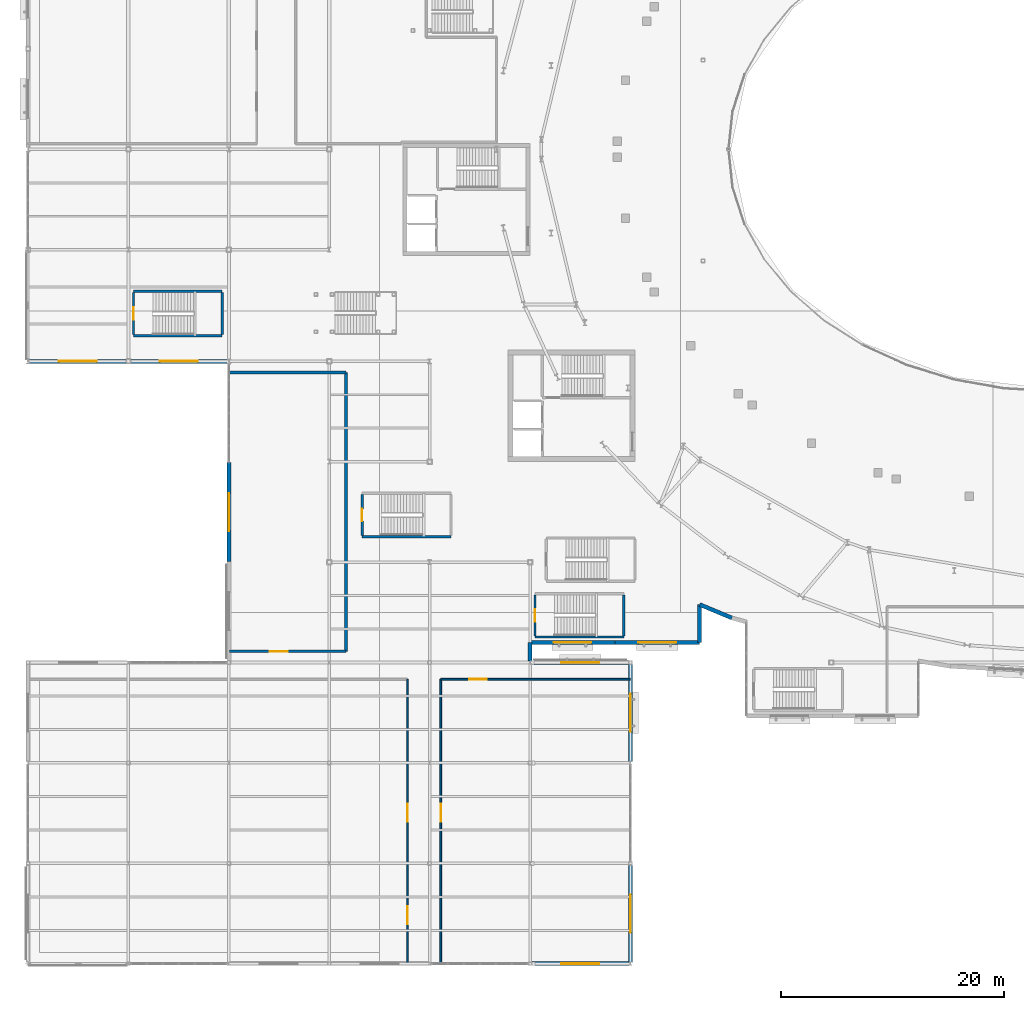
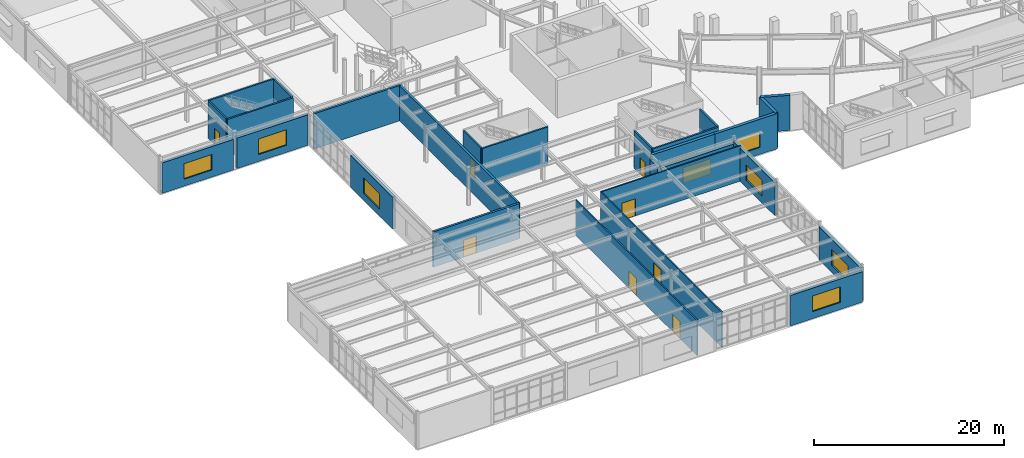
# One storey, part 57 of 84: 27 walls, 9 windows, 8 doors, 17 openings.
"""IFC4 building model written with IfcOpenShell, lengths in metres."""

from ifc_helpers import new_model, si_unit, direction, frame, frame_2d, origin, place, context, subcontext, project, spatial, rectangle, extrude, material, layer, layer_set, type_object, element, fill, save


model = new_model("IFC4")

# Units and contexts
model_context = context("Model", 3, precision=1e-05, world=origin(), true_north=direction((0.0, 1.0)))
body_context = subcontext(model_context, "Body", "Model", "MODEL_VIEW")
ifc_project = project(units=[si_unit("LENGTHUNIT", "METRE"), si_unit("AREAUNIT", "SQUARE_METRE"), si_unit("VOLUMEUNIT", "CUBIC_METRE"), si_unit("PLANEANGLEUNIT", "RADIAN"), si_unit("MASSUNIT", "GRAM", prefix="KILO")], contexts=[model_context])

# Site, building, storey
site_placement = place(None, origin())
site = spatial("IfcSite", under=ifc_project, at=site_placement, CompositionType="ELEMENT")
building_placement = place(site_placement, origin())
building = spatial("IfcBuilding", under=site, at=building_placement, Name="Glasvene Arena", CompositionType="ELEMENT")
storey_placement = place(building_placement, frame((0.0, 0.0, 10.199951171875)))
storey = spatial("IfcBuildingStorey", under=building, at=storey_placement, Name="L02", CompositionType="ELEMENT", Elevation=10.199951171875)

# Walls
ifc_material_1 = material(Name="Coursed pale Irish limestone", Category="masonry")
ifc_layer_1 = layer(ifc_material_1, 0.360107421875)
ifc_layer_set_1 = layer_set([ifc_layer_1], Name="Coursed pale Irish limestone")
wall_type_1 = type_object("IfcWallType", Name="WL-EXT-LIM-360", PredefinedType="STANDARD", material=ifc_layer_set_1)
wall_1_placement = place(storey_placement, frame((63.08203125, 30.993896484375, 0.0), z_axis=(0.0, 0.0, 1.0), x_axis=(-0.922819998885, 0.385231423507, 0.0)))
element("IfcWall", 1, at=wall_1_placement, inside=storey, type_object=wall_type_1, Name="External facade wall EW-L02-0164", PredefinedType="STANDARD", context=body_context, shape_type="SweptSolid", body=[
    extrude(rectangle(XDim=3.123046875, YDim=0.360107421875, at=frame_2d((1.5615234375, 0.0))), origin(), (0.0, 0.0, 1.0), 4.52001953125),
])
wall_2_placement = place(storey_placement, frame((60.199951171875, 32.197021484375, 0.0), z_axis=(0.0, 0.0, 1.0), x_axis=(0.0, -1.0, 0.0)))
element("IfcWall", 2, at=wall_2_placement, inside=storey, type_object=wall_type_1, Name="External facade wall EW-L02-0165", PredefinedType="STANDARD", context=body_context, shape_type="SweptSolid", body=[
    extrude(rectangle(XDim=3.39697265625, YDim=0.360107421875, at=frame_2d((1.698486328125, 0.0))), origin(), (0.0, 0.0, 1.0), 4.52001953125),
])

# Wall, opening, window
wall_3_placement = place(storey_placement, frame((60.199951171875, 28.800048828125, 0.0), z_axis=(0.0, 0.0, 1.0), x_axis=(-1.0, 0.0, 0.0)))
wall_3 = element("IfcWall", 3, at=wall_3_placement, inside=storey, type_object=wall_type_1, Name="External facade wall EW-L02-0166", PredefinedType="STANDARD", context=body_context, shape_type="SweptSolid", body=[
    extrude(rectangle(XDim=7.599853515625, YDim=0.360107421875, at=frame_2d((3.7998046875, 0.0))), origin(), (0.0, 0.0, 1.0), 4.52001953125),
])
opening_1_placement = place(wall_3_placement, frame((2.10009765625, 0.0, 0.89990234375)))
opening_1 = element("IfcOpeningElement", 4, at=opening_1_placement, cuts=wall_3, Name="Opening W-06", PredefinedType="OPENING", context=body_context, shape_type="SweptSolid", body=[
    extrude(rectangle(XDim=3.39990234375, YDim=2.0, at=frame_2d((1.699951171875, 1.0))), frame((0.0, 0.18994140625, 0.0), z_axis=(0.0, -1.0, 0.0), x_axis=(1.0, 0.0, 0.0)), (0.0, 0.0, 1.0), 0.380126953125),
])
ifc_material_2 = material(Name="Low-emissivity laminated double glazing", Category="glass")
window_type = type_object("IfcWindowType", Name="WN-CLUB-340x200", PartitioningType="TRIPLE_PANEL_VERTICAL", PredefinedType="WINDOW", material=ifc_material_2)
window_1_placement = place(opening_1_placement, origin())
window_1 = element("IfcWindow", 5, at=window_1_placement, inside=storey, type_object=window_type, Name="Facade window WN-CLUB-340x200 L02-0098", OverallHeight=2.0, OverallWidth=3.39990234375, PartitioningType="SINGLE_PANEL", PredefinedType="WINDOW", context=body_context, shape_type="SweptSolid", body=[
    extrude(rectangle(XDim=3.39990234375, YDim=2.0, at=frame_2d((1.699951171875, 1.0))), frame((0.0, 0.030029296875, 0.0), z_axis=(0.0, -1.0, 0.0), x_axis=(1.0, 0.0, 0.0)), (0.0, 0.0, 1.0), 0.06005859375),
])
fill(opening_1, window_1)

wall_4_placement = place(storey_placement, frame((52.60009765625, 28.800048828125, 0.0), z_axis=(0.0, 0.0, 1.0), x_axis=(-1.0, 0.0, 0.0)))
wall_4 = element("IfcWall", 6, at=wall_4_placement, inside=storey, type_object=wall_type_1, Name="External facade wall EW-L02-0167", PredefinedType="STANDARD", context=body_context, shape_type="SweptSolid", body=[
    extrude(rectangle(XDim=7.60009765625, YDim=0.360107421875, at=frame_2d((3.800048828125, 0.0))), origin(), (0.0, 0.0, 1.0), 4.52001953125),
])
opening_2_placement = place(wall_4_placement, frame((2.10009765625, 0.0, 0.89990234375)))
opening_2 = element("IfcOpeningElement", 7, at=opening_2_placement, cuts=wall_4, Name="Opening W-06", PredefinedType="OPENING", context=body_context, shape_type="SweptSolid", body=[
    extrude(rectangle(XDim=3.39990234375, YDim=2.0, at=frame_2d((1.699951171875, 1.0))), frame((0.0, 0.18994140625, 0.0), z_axis=(0.0, -1.0, 0.0), x_axis=(1.0, 0.0, 0.0)), (0.0, 0.0, 1.0), 0.380126953125),
])
window_2_placement = place(opening_2_placement, origin())
window_2 = element("IfcWindow", 8, at=window_2_placement, inside=storey, type_object=window_type, Name="Facade window WN-CLUB-340x200 L02-0099", OverallHeight=2.0, OverallWidth=3.39990234375, PartitioningType="SINGLE_PANEL", PredefinedType="WINDOW", context=body_context, shape_type="SweptSolid", body=[
    extrude(rectangle(XDim=3.39990234375, YDim=2.0, at=frame_2d((1.699951171875, 1.0))), frame((0.0, 0.030029296875, 0.0), z_axis=(0.0, -1.0, 0.0), x_axis=(1.0, 0.0, 0.0)), (0.0, 0.0, 1.0), 0.06005859375),
])
fill(opening_2, window_2)

# Wall
wall_5_placement = place(storey_placement, frame((45.0, 28.800048828125, 0.0), z_axis=(0.0, 0.0, 1.0), x_axis=(0.0, -1.0, 0.0)))
element("IfcWall", 9, at=wall_5_placement, inside=storey, type_object=wall_type_1, Name="External facade wall EW-L02-0168", PredefinedType="STANDARD", context=body_context, shape_type="SweptSolid", body=[
    extrude(rectangle(XDim=1.66796875, YDim=0.360107421875, at=frame_2d((0.833984375, 0.0))), origin(), (0.0, 0.0, 1.0), 3.907470703125),
])

# Wall, opening, window
wall_6_placement = place(storey_placement, frame((45.130126953125, 27.0, 0.0), z_axis=(0.0, 0.0, 1.0), x_axis=(1.0, 0.0, 0.0)))
wall_6 = element("IfcWall", 10, at=wall_6_placement, inside=storey, type_object=wall_type_1, Name="External facade wall EW-L02-0169", PredefinedType="STANDARD", context=body_context, shape_type="SweptSolid", body=[
    extrude(rectangle(XDim=8.7177734375, YDim=0.360107421875, at=frame_2d((4.35888671875, 0.0))), origin(), (0.0, 0.0, 1.0), 3.907470703125),
])
opening_3_placement = place(wall_6_placement, frame((2.658935546875, 0.0, 0.89990234375)))
opening_3 = element("IfcOpeningElement", 11, at=opening_3_placement, cuts=wall_6, Name="Opening W-06", PredefinedType="OPENING", context=body_context, shape_type="SweptSolid", body=[
    extrude(rectangle(XDim=3.39990234375, YDim=2.0, at=frame_2d((1.699951171875, 1.0))), frame((0.0, 0.18994140625, 0.0), z_axis=(0.0, -1.0, 0.0), x_axis=(1.0, 0.0, 0.0)), (0.0, 0.0, 1.0), 0.380126953125),
])
window_3_placement = place(opening_3_placement, origin())
window_3 = element("IfcWindow", 12, at=window_3_placement, inside=storey, type_object=window_type, Name="Facade window WN-CLUB-340x200 L02-0100", OverallHeight=2.0, OverallWidth=3.39990234375, PartitioningType="SINGLE_PANEL", PredefinedType="WINDOW", context=body_context, shape_type="SweptSolid", body=[
    extrude(rectangle(XDim=3.39990234375, YDim=2.0, at=frame_2d((1.699951171875, 1.0))), frame((0.0, 0.030029296875, 0.0), z_axis=(0.0, -1.0, 0.0), x_axis=(1.0, 0.0, 0.0)), (0.0, 0.0, 1.0), 0.06005859375),
])
fill(opening_3, window_3)

wall_7_placement = place(storey_placement, frame((54.0, 26.847900390625, 0.0), z_axis=(0.0, 0.0, 1.0), x_axis=(0.0, -1.0, 0.0)))
wall_7 = element("IfcWall", 13, at=wall_7_placement, inside=storey, type_object=wall_type_1, Name="External facade wall EW-L02-0170", PredefinedType="STANDARD", context=body_context, shape_type="SweptSolid", body=[
    extrude(rectangle(XDim=8.7158203125, YDim=0.360107421875, at=frame_2d((4.35791015625, 0.0))), origin(), (0.0, 0.0, 1.0), 4.215087890625),
])
opening_4_placement = place(wall_7_placement, frame((2.657958984375, 0.0, 0.89990234375)))
opening_4 = element("IfcOpeningElement", 14, at=opening_4_placement, cuts=wall_7, Name="Opening W-06", PredefinedType="OPENING", context=body_context, shape_type="SweptSolid", body=[
    extrude(rectangle(XDim=3.39990234375, YDim=2.0, at=frame_2d((1.699951171875, 1.0))), frame((0.0, 0.18994140625, 0.0), z_axis=(0.0, -1.0, 0.0), x_axis=(1.0, 0.0, 0.0)), (0.0, 0.0, 1.0), 0.380126953125),
])
window_4_placement = place(opening_4_placement, origin())
window_4 = element("IfcWindow", 15, at=window_4_placement, inside=storey, type_object=window_type, Name="Facade window WN-CLUB-340x200 L02-0101", OverallHeight=2.0, OverallWidth=3.39990234375, PartitioningType="SINGLE_PANEL", PredefinedType="WINDOW", context=body_context, shape_type="SweptSolid", body=[
    extrude(rectangle(XDim=3.39990234375, YDim=2.0, at=frame_2d((1.699951171875, 1.0))), frame((0.0, 0.030029296875, 0.0), z_axis=(0.0, -1.0, 0.0), x_axis=(1.0, 0.0, 0.0)), (0.0, 0.0, 1.0), 0.06005859375),
])
fill(opening_4, window_4)

wall_8_placement = place(storey_placement, frame((54.0, 8.847900390625, 0.0), z_axis=(0.0, 0.0, 1.0), x_axis=(0.0, -1.0, 0.0)))
wall_8 = element("IfcWall", 16, at=wall_8_placement, inside=storey, type_object=wall_type_1, Name="External facade wall EW-L02-0171", PredefinedType="STANDARD", context=body_context, shape_type="SweptSolid", body=[
    extrude(rectangle(XDim=8.7158203125, YDim=0.360107421875, at=frame_2d((4.35791015625, 0.0))), origin(), (0.0, 0.0, 1.0), 4.215087890625),
])
opening_5_placement = place(wall_8_placement, frame((2.657958984375, 0.0, 0.89990234375)))
opening_5 = element("IfcOpeningElement", 17, at=opening_5_placement, cuts=wall_8, Name="Opening W-06", PredefinedType="OPENING", context=body_context, shape_type="SweptSolid", body=[
    extrude(rectangle(XDim=3.39990234375, YDim=2.0, at=frame_2d((1.699951171875, 1.0))), frame((0.0, 0.18994140625, 0.0), z_axis=(0.0, -1.0, 0.0), x_axis=(1.0, 0.0, 0.0)), (0.0, 0.0, 1.0), 0.380126953125),
])
window_5_placement = place(opening_5_placement, origin())
window_5 = element("IfcWindow", 18, at=window_5_placement, inside=storey, type_object=window_type, Name="Facade window WN-CLUB-340x200 L02-0102", OverallHeight=2.0, OverallWidth=3.39990234375, PartitioningType="SINGLE_PANEL", PredefinedType="WINDOW", context=body_context, shape_type="SweptSolid", body=[
    extrude(rectangle(XDim=3.39990234375, YDim=2.0, at=frame_2d((1.699951171875, 1.0))), frame((0.0, 0.030029296875, 0.0), z_axis=(0.0, -1.0, 0.0), x_axis=(1.0, 0.0, 0.0)), (0.0, 0.0, 1.0), 0.06005859375),
])
fill(opening_5, window_5)

wall_9_placement = place(storey_placement, frame((53.869873046875, 0.0, 0.0), z_axis=(0.0, 0.0, 1.0), x_axis=(-1.0, 0.0, 0.0)))
wall_9 = element("IfcWall", 19, at=wall_9_placement, inside=storey, type_object=wall_type_1, Name="External facade wall EW-L02-0172", PredefinedType="STANDARD", context=body_context, shape_type="SweptSolid", body=[
    extrude(rectangle(XDim=8.7177734375, YDim=0.360107421875, at=frame_2d((4.35888671875, 0.0))), origin(), (0.0, 0.0, 1.0), 3.907470703125),
])
opening_6_placement = place(wall_9_placement, frame((2.658935546875, 0.0, 0.89990234375)))
opening_6 = element("IfcOpeningElement", 20, at=opening_6_placement, cuts=wall_9, Name="Opening W-06", PredefinedType="OPENING", context=body_context, shape_type="SweptSolid", body=[
    extrude(rectangle(XDim=3.39990234375, YDim=2.0, at=frame_2d((1.699951171875, 1.0))), frame((0.0, 0.18994140625, 0.0), z_axis=(0.0, -1.0, 0.0), x_axis=(1.0, 0.0, 0.0)), (0.0, 0.0, 1.0), 0.380126953125),
])
window_6_placement = place(opening_6_placement, origin())
window_6 = element("IfcWindow", 21, at=window_6_placement, inside=storey, type_object=window_type, Name="Facade window WN-CLUB-340x200 L02-0103", OverallHeight=2.0, OverallWidth=3.39990234375, PartitioningType="SINGLE_PANEL", PredefinedType="WINDOW", context=body_context, shape_type="SweptSolid", body=[
    extrude(rectangle(XDim=3.39990234375, YDim=2.0, at=frame_2d((1.699951171875, 1.0))), frame((0.0, 0.030029296875, 0.0), z_axis=(0.0, -1.0, 0.0), x_axis=(1.0, 0.0, 0.0)), (0.0, 0.0, 1.0), 0.06005859375),
])
fill(opening_6, window_6)

wall_10_placement = place(storey_placement, frame((18.0, 36.033935546875, 0.0), z_axis=(0.0, 0.0, 1.0), x_axis=(0.0, 1.0, 0.0)))
wall_10 = element("IfcWall", 22, at=wall_10_placement, inside=storey, type_object=wall_type_1, Name="External facade wall EW-L02-0179", PredefinedType="STANDARD", context=body_context, shape_type="SweptSolid", body=[
    extrude(rectangle(XDim=8.882080078125, YDim=0.360107421875, at=frame_2d((4.44091796875, 0.0))), origin(), (0.0, 0.0, 1.0), 4.114990234375),
])
opening_7_placement = place(wall_10_placement, frame((2.740966796875, 0.0, 0.89990234375)))
opening_7 = element("IfcOpeningElement", 23, at=opening_7_placement, cuts=wall_10, Name="Opening W-06", PredefinedType="OPENING", context=body_context, shape_type="SweptSolid", body=[
    extrude(rectangle(XDim=3.39990234375, YDim=2.0, at=frame_2d((1.699951171875, 1.0))), frame((0.0, 0.18994140625, 0.0), z_axis=(0.0, -1.0, 0.0), x_axis=(1.0, 0.0, 0.0)), (0.0, 0.0, 1.0), 0.380126953125),
])
window_7_placement = place(opening_7_placement, origin())
window_7 = element("IfcWindow", 24, at=window_7_placement, inside=storey, type_object=window_type, Name="Facade window WN-CLUB-340x200 L02-0110", OverallHeight=2.0, OverallWidth=3.39990234375, PartitioningType="SINGLE_PANEL", PredefinedType="WINDOW", context=body_context, shape_type="SweptSolid", body=[
    extrude(rectangle(XDim=3.39990234375, YDim=2.0, at=frame_2d((1.699951171875, 1.0))), frame((0.0, 0.030029296875, 0.0), z_axis=(0.0, -1.0, 0.0), x_axis=(1.0, 0.0, 0.0)), (0.0, 0.0, 1.0), 0.06005859375),
])
fill(opening_7, window_7)

wall_11_placement = place(storey_placement, frame((17.847900390625, 54.0, 0.0), z_axis=(0.0, 0.0, 1.0), x_axis=(-1.0, 0.0, 0.0)))
wall_11 = element("IfcWall", 25, at=wall_11_placement, inside=storey, type_object=wall_type_1, Name="External facade wall EW-L02-0180", PredefinedType="STANDARD", context=body_context, shape_type="SweptSolid", body=[
    extrude(rectangle(XDim=8.642822265625, YDim=0.360107421875, at=frame_2d((4.3212890625, 0.0))), origin(), (0.0, 0.0, 1.0), 3.907470703125),
])
opening_8_placement = place(wall_11_placement, frame((2.62109375, 0.0, 0.89990234375)))
opening_8 = element("IfcOpeningElement", 26, at=opening_8_placement, cuts=wall_11, Name="Opening W-06", PredefinedType="OPENING", context=body_context, shape_type="SweptSolid", body=[
    extrude(rectangle(XDim=3.39990234375, YDim=2.0, at=frame_2d((1.699951171875, 1.0))), frame((0.0, 0.18994140625, 0.0), z_axis=(0.0, -1.0, 0.0), x_axis=(1.0, 0.0, 0.0)), (0.0, 0.0, 1.0), 0.380126953125),
])
window_8_placement = place(opening_8_placement, origin())
window_8 = element("IfcWindow", 27, at=window_8_placement, inside=storey, type_object=window_type, Name="Facade window WN-CLUB-340x200 L02-0111", OverallHeight=2.0, OverallWidth=3.39990234375, PartitioningType="SINGLE_PANEL", PredefinedType="WINDOW", context=body_context, shape_type="SweptSolid", body=[
    extrude(rectangle(XDim=3.39990234375, YDim=2.0, at=frame_2d((1.699951171875, 1.0))), frame((0.0, 0.030029296875, 0.0), z_axis=(0.0, -1.0, 0.0), x_axis=(1.0, 0.0, 0.0)), (0.0, 0.0, 1.0), 0.06005859375),
])
fill(opening_8, window_8)

wall_12_placement = place(storey_placement, frame((8.794921875, 54.0, 0.0), z_axis=(0.0, 0.0, 1.0), x_axis=(-1.0, 0.0, 0.0)))
wall_12 = element("IfcWall", 28, at=wall_12_placement, inside=storey, type_object=wall_type_1, Name="External facade wall EW-L02-0181", PredefinedType="STANDARD", context=body_context, shape_type="SweptSolid", body=[
    extrude(rectangle(XDim=8.642822265625, YDim=0.360107421875, at=frame_2d((4.3212890625, 0.0))), origin(), (0.0, 0.0, 1.0), 3.907470703125),
])
opening_9_placement = place(wall_12_placement, frame((2.62109375, 0.0, 0.89990234375)))
opening_9 = element("IfcOpeningElement", 29, at=opening_9_placement, cuts=wall_12, Name="Opening W-06", PredefinedType="OPENING", context=body_context, shape_type="SweptSolid", body=[
    extrude(rectangle(XDim=3.39990234375, YDim=2.0, at=frame_2d((1.699951171875, 1.0))), frame((0.0, 0.18994140625, 0.0), z_axis=(0.0, -1.0, 0.0), x_axis=(1.0, 0.0, 0.0)), (0.0, 0.0, 1.0), 0.380126953125),
])
window_9_placement = place(opening_9_placement, origin())
window_9 = element("IfcWindow", 30, at=window_9_placement, inside=storey, type_object=window_type, Name="Facade window WN-CLUB-340x200 L02-0112", OverallHeight=2.0, OverallWidth=3.39990234375, PartitioningType="SINGLE_PANEL", PredefinedType="WINDOW", context=body_context, shape_type="SweptSolid", body=[
    extrude(rectangle(XDim=3.39990234375, YDim=2.0, at=frame_2d((1.699951171875, 1.0))), frame((0.0, 0.030029296875, 0.0), z_axis=(0.0, -1.0, 0.0), x_axis=(1.0, 0.0, 0.0)), (0.0, 0.0, 1.0), 0.06005859375),
])
fill(opening_9, window_9)

# Walls
ifc_material_3 = material(Name="Concrete C40/50", Category="concrete")
ifc_layer_2 = layer(ifc_material_3, 0.25)
ifc_layer_set_2 = layer_set([ifc_layer_2], Name="Concrete C40/50")
wall_type_2 = type_object("IfcWallType", Name="WL-FIRE-250", PredefinedType="STANDARD", material=ifc_layer_set_2)
wall_13_placement = place(storey_placement, frame((18.02001953125, 53.0, 0.0), z_axis=(0.0, 0.0, 1.0), x_axis=(1.0, 0.0, 0.0)))
element("IfcWall", 31, at=wall_13_placement, inside=storey, type_object=wall_type_2, Name="Interior partition wall IW-L02-0250 (Venue Security and Operations Suite)", PredefinedType="STANDARD", context=body_context, shape_type="SweptSolid", body=[
    extrude(rectangle(XDim=10.47998046875, YDim=0.25, at=frame_2d((5.239990234375, 0.0))), origin(), (0.0, 0.0, 1.0), 4.52001953125),
])
wall_14_placement = place(storey_placement, frame((28.5, 53.0, 0.0), z_axis=(0.0, 0.0, 1.0), x_axis=(0.0, -1.0, 0.0)))
element("IfcWall", 32, at=wall_14_placement, inside=storey, type_object=wall_type_2, Name="Interior partition wall IW-L02-0251 (Venue Security and Operations Suite)", PredefinedType="STANDARD", context=body_context, shape_type="SweptSolid", body=[
    extrude(rectangle(XDim=25.0, YDim=0.25, at=frame_2d((12.5, 0.0))), origin(), (0.0, 0.0, 1.0), 4.52001953125),
])

# Wall, opening, door
wall_15_placement = place(storey_placement, frame((28.5, 28.0, 0.0), z_axis=(0.0, 0.0, 1.0), x_axis=(-1.0, 0.0, 0.0)))
wall_15 = element("IfcWall", 33, at=wall_15_placement, inside=storey, type_object=wall_type_2, Name="Interior partition wall IW-L02-0252 (Venue Security and Operations Suite)", PredefinedType="STANDARD", context=body_context, shape_type="SweptSolid", body=[
    extrude(rectangle(XDim=10.4599609375, YDim=0.25, at=frame_2d((5.22998046875, 0.0))), origin(), (0.0, 0.0, 1.0), 4.52001953125),
])
opening_10_placement = place(wall_15_placement, frame((5.220947265625, 0.0, 0.0)))
opening_10 = element("IfcOpeningElement", 34, at=opening_10_placement, cuts=wall_15, Name="Opening D-02", PredefinedType="OPENING", context=body_context, shape_type="SweptSolid", body=[
    extrude(rectangle(XDim=1.60009765625, YDim=2.199951171875, at=frame_2d((0.800048828125, 1.10009765625))), frame((0.0, 0.135009765625, 0.0), z_axis=(0.0, -1.0, 0.0), x_axis=(1.0, 0.0, 0.0)), (0.0, 0.0, 1.0), 0.27001953125),
])
ifc_material_4 = material(Name="Painted fire-resisting steel", Category="steel")
door_type_1 = type_object("IfcDoorType", Name="DR-FD60-1600", OperationType="DOUBLE_DOOR_SINGLE_SWING", PredefinedType="DOOR", material=ifc_material_4)
door_1_placement = place(opening_10_placement, origin())
door_1 = element("IfcDoor", 35, at=door_1_placement, inside=storey, type_object=door_type_1, Name="Interior door DR-FD60-1600 (Venue Security and Operations Suite)", OperationType="DOUBLE_DOOR_SINGLE_SWING", OverallHeight=2.199951171875, OverallWidth=1.60009765625, PredefinedType="DOOR", context=body_context, shape_type="SweptSolid", body=[
    extrude(rectangle(XDim=1.60009765625, YDim=2.199951171875, at=frame_2d((0.800048828125, 1.10009765625))), frame((0.0, 0.02490234375, 0.0), z_axis=(0.0, -1.0, 0.0), x_axis=(1.0, 0.0, 0.0)), (0.0, 0.0, 1.0), 0.050048828125),
])
fill(opening_10, door_1)

# Wall, openings, doors
ifc_material_5 = material(Name="Insulated acoustic metal-stud partition")
ifc_layer_3 = layer(ifc_material_5, 0.14990234375)
ifc_layer_set_3 = layer_set([ifc_layer_3], Name="Insulated acoustic metal-stud partition")
wall_type_3 = type_object("IfcWallType", Name="WL-PART-150", PredefinedType="PARTITIONING", material=ifc_layer_set_3)
wall_16_placement = place(storey_placement, frame((34.0, 25.5, 0.0), z_axis=(0.0, 0.0, 1.0), x_axis=(0.0, -1.0, 0.0)))
wall_16 = element("IfcWall", 36, at=wall_16_placement, inside=storey, type_object=wall_type_3, Name="Interior partition wall IW-L02-0203 (Prairie Foyer Panorama Lounge)", PredefinedType="PARTITIONING", context=body_context, shape_type="SweptSolid", body=[
    extrude(rectangle(XDim=25.4599609375, YDim=0.14990234375, at=frame_2d((12.72998046875, 0.0))), origin(), (0.0, 0.0, 1.0), 4.52001953125),
])
opening_11_placement = place(wall_16_placement, frame((20.341064453125, 0.0, 0.0)))
opening_11 = element("IfcOpeningElement", 37, at=opening_11_placement, cuts=wall_16, Name="Opening D-02", PredefinedType="OPENING", context=body_context, shape_type="SweptSolid", body=[
    extrude(rectangle(XDim=1.60009765625, YDim=2.199951171875, at=frame_2d((0.800048828125, 1.10009765625))), frame((0.0, 0.0849609375, 0.0), z_axis=(0.0, -1.0, 0.0), x_axis=(1.0, 0.0, 0.0)), (0.0, 0.0, 1.0), 0.169921875),
])
opening_12_placement = place(wall_16_placement, frame((11.1650390625, 0.0, 0.0)))
opening_12 = element("IfcOpeningElement", 38, at=opening_12_placement, cuts=wall_16, Name="Opening D-02", PredefinedType="OPENING", context=body_context, shape_type="SweptSolid", body=[
    extrude(rectangle(XDim=1.60009765625, YDim=2.199951171875, at=frame_2d((0.800048828125, 1.10009765625))), frame((0.0, 0.0849609375, 0.0), z_axis=(0.0, -1.0, 0.0), x_axis=(1.0, 0.0, 0.0)), (0.0, 0.0, 1.0), 0.169921875),
])
door_2_placement = place(opening_11_placement, origin())
door_2 = element("IfcDoor", 39, at=door_2_placement, inside=storey, type_object=door_type_1, Name="Interior door DR-FD60-1600 (Prairie Foyer Panorama Lounge)", OperationType="DOUBLE_DOOR_SINGLE_SWING", OverallHeight=2.199951171875, OverallWidth=1.60009765625, PredefinedType="DOOR", context=body_context, shape_type="SweptSolid", body=[
    extrude(rectangle(XDim=1.60009765625, YDim=2.199951171875, at=frame_2d((0.800048828125, 1.10009765625))), frame((0.0, 0.02490234375, 0.0), z_axis=(0.0, -1.0, 0.0), x_axis=(1.0, 0.0, 0.0)), (0.0, 0.0, 1.0), 0.050048828125),
])
fill(opening_11, door_2)
door_3_placement = place(opening_12_placement, origin())
door_3 = element("IfcDoor", 40, at=door_3_placement, inside=storey, type_object=door_type_1, Name="Interior door DR-FD60-1600 (Prairie Foyer Panorama Lounge)", OperationType="DOUBLE_DOOR_SINGLE_SWING", OverallHeight=2.199951171875, OverallWidth=1.60009765625, PredefinedType="DOOR", context=body_context, shape_type="SweptSolid", body=[
    extrude(rectangle(XDim=1.60009765625, YDim=2.199951171875, at=frame_2d((0.800048828125, 1.10009765625))), frame((0.0, 0.02490234375, 0.0), z_axis=(0.0, -1.0, 0.0), x_axis=(1.0, 0.0, 0.0)), (0.0, 0.0, 1.0), 0.050048828125),
])
fill(opening_12, door_3)

# Wall, opening, door
wall_17_placement = place(storey_placement, frame((37.0, 25.5, 0.0), z_axis=(0.0, 0.0, 1.0), x_axis=(1.0, 0.0, 0.0)))
wall_17 = element("IfcWall", 41, at=wall_17_placement, inside=storey, type_object=wall_type_3, Name="Interior partition wall IW-L02-0204 (Members Club Dining Room)", PredefinedType="PARTITIONING", context=body_context, shape_type="SweptSolid", body=[
    extrude(rectangle(XDim=16.9599609375, YDim=0.14990234375, at=frame_2d((8.47998046875, 0.0))), origin(), (0.0, 0.0, 1.0), 4.52001953125),
])
opening_13_placement = place(wall_17_placement, frame((2.527099609375, 0.0, 0.0)))
opening_13 = element("IfcOpeningElement", 42, at=opening_13_placement, cuts=wall_17, Name="Opening D-02", PredefinedType="OPENING", context=body_context, shape_type="SweptSolid", body=[
    extrude(rectangle(XDim=1.60009765625, YDim=2.199951171875, at=frame_2d((0.800048828125, 1.10009765625))), frame((0.0, 0.0849609375, 0.0), z_axis=(0.0, -1.0, 0.0), x_axis=(1.0, 0.0, 0.0)), (0.0, 0.0, 1.0), 0.169921875),
])
door_4_placement = place(opening_13_placement, origin())
door_4 = element("IfcDoor", 43, at=door_4_placement, inside=storey, type_object=door_type_1, Name="Interior door DR-FD60-1600 (Members Club Dining Room)", OperationType="DOUBLE_DOOR_SINGLE_SWING", OverallHeight=2.199951171875, OverallWidth=1.60009765625, PredefinedType="DOOR", context=body_context, shape_type="SweptSolid", body=[
    extrude(rectangle(XDim=1.60009765625, YDim=2.199951171875, at=frame_2d((0.800048828125, 1.10009765625))), frame((0.0, 0.02490234375, 0.0), z_axis=(0.0, -1.0, 0.0), x_axis=(1.0, 0.0, 0.0)), (0.0, 0.0, 1.0), 0.050048828125),
])
fill(opening_13, door_4)

wall_18_placement = place(storey_placement, frame((37.0, 0.02001953125, 0.0), z_axis=(0.0, 0.0, 1.0), x_axis=(0.0, 1.0, 0.0)))
wall_18 = element("IfcWall", 44, at=wall_18_placement, inside=storey, type_object=wall_type_3, Name="Interior partition wall IW-L02-0205 (Members Club Dining Room)", PredefinedType="PARTITIONING", context=body_context, shape_type="SweptSolid", body=[
    extrude(rectangle(XDim=25.47998046875, YDim=0.14990234375, at=frame_2d((12.739990234375, 0.0))), origin(), (0.0, 0.0, 1.0), 4.52001953125),
])
opening_14_placement = place(wall_18_placement, frame((12.705078125, 0.0, 0.0)))
opening_14 = element("IfcOpeningElement", 45, at=opening_14_placement, cuts=wall_18, Name="Opening D-02", PredefinedType="OPENING", context=body_context, shape_type="SweptSolid", body=[
    extrude(rectangle(XDim=1.60009765625, YDim=2.199951171875, at=frame_2d((0.800048828125, 1.10009765625))), frame((0.0, 0.0849609375, 0.0), z_axis=(0.0, -1.0, 0.0), x_axis=(1.0, 0.0, 0.0)), (0.0, 0.0, 1.0), 0.169921875),
])
door_5_placement = place(opening_14_placement, origin())
door_5 = element("IfcDoor", 46, at=door_5_placement, inside=storey, type_object=door_type_1, Name="Interior door DR-FD60-1600 (Members Club Dining Room)", OperationType="DOUBLE_DOOR_SINGLE_SWING", OverallHeight=2.199951171875, OverallWidth=1.60009765625, PredefinedType="DOOR", context=body_context, shape_type="SweptSolid", body=[
    extrude(rectangle(XDim=1.60009765625, YDim=2.199951171875, at=frame_2d((0.800048828125, 1.10009765625))), frame((0.0, 0.02490234375, 0.0), z_axis=(0.0, -1.0, 0.0), x_axis=(1.0, 0.0, 0.0)), (0.0, 0.0, 1.0), 0.050048828125),
])
fill(opening_14, door_5)

# Wall
ifc_layer_4 = layer(ifc_material_3, 0.199951171875)
ifc_layer_set_4 = layer_set([ifc_layer_4], Name="Concrete C40/50")
wall_type_4 = type_object("IfcWallType", Name="WL-SHAFT-200", PredefinedType="SHEAR", material=ifc_layer_set_4)
wall_19_placement = place(storey_placement, frame((9.449951171875, 56.280029296875, 0.0), z_axis=(0.0, 0.0, 1.0), x_axis=(1.0, 0.0, 0.0)))
element("IfcWall", 47, at=wall_19_placement, inside=storey, type_object=wall_type_4, Name="Escape stair shaft wall ST-13 L02 S", PredefinedType="SHEAR", context=body_context, shape_type="SweptSolid", body=[
    extrude(rectangle(XDim=7.949951171875, YDim=0.199951171875, at=frame_2d((3.97509765625, 0.0))), origin(), (0.0, 0.0, 1.0), 4.800048828125),
])

# Wall, opening, door
wall_20_placement = place(storey_placement, frame((9.449951171875, 56.382080078125, 0.0), z_axis=(0.0, 0.0, 1.0), x_axis=(0.0, 1.0, 0.0)))
wall_20 = element("IfcWall", 48, at=wall_20_placement, inside=storey, type_object=wall_type_4, Name="Escape stair shaft wall ST-13 L02 W", PredefinedType="SHEAR", context=body_context, shape_type="SweptSolid", body=[
    extrude(rectangle(XDim=3.785888671875, YDim=0.199951171875, at=frame_2d((1.89306640625, 0.0))), origin(), (0.0, 0.0, 1.0), 4.800048828125),
])
opening_15_placement = place(wall_20_placement, frame((1.343017578125, 0.0, 0.0)))
opening_15 = element("IfcOpeningElement", 49, at=opening_15_placement, cuts=wall_20, Name="Opening D-04", PredefinedType="OPENING", context=body_context, shape_type="SweptSolid", body=[
    extrude(rectangle(XDim=1.10009765625, YDim=2.14990234375, at=frame_2d((0.550048828125, 1.074951171875))), frame((0.0, 0.10986328125, 0.0), z_axis=(0.0, -1.0, 0.0), x_axis=(1.0, 0.0, 0.0)), (0.0, 0.0, 1.0), 0.219970703125),
])
door_type_2 = type_object("IfcDoorType", Name="DR-FD60-1100", OperationType="NOTDEFINED", PredefinedType="DOOR", material=ifc_material_4)
door_6_placement = place(opening_15_placement, frame((1.10009765625, 0.0, 0.0), z_axis=(0.0, 0.0, 1.0), x_axis=(-1.0, 0.0, 0.0)))
door_6 = element("IfcDoor", 50, at=door_6_placement, inside=storey, type_object=door_type_2, Name="Protected escape stair door ST-13 L02", OperationType="SINGLE_SWING_LEFT", OverallHeight=2.14990234375, OverallWidth=1.10009765625, PredefinedType="DOOR", context=body_context, shape_type="SweptSolid", body=[
    extrude(rectangle(XDim=1.10009765625, YDim=2.14990234375, at=frame_2d((0.550048828125, 1.074951171875))), frame((0.0, 0.02490234375, 0.0), z_axis=(0.0, -1.0, 0.0), x_axis=(1.0, 0.0, 0.0)), (0.0, 0.0, 1.0), 0.050048828125),
])
fill(opening_15, door_6)

# Walls
wall_21_placement = place(storey_placement, frame((17.39990234375, 56.382080078125, 0.0), z_axis=(0.0, 0.0, 1.0), x_axis=(0.0, 1.0, 0.0)))
element("IfcWall", 51, at=wall_21_placement, inside=storey, type_object=wall_type_4, Name="Escape stair shaft wall ST-13 L02 E", PredefinedType="SHEAR", context=body_context, shape_type="SweptSolid", body=[
    extrude(rectangle(XDim=3.785888671875, YDim=0.199951171875, at=frame_2d((1.89306640625, 0.0))), origin(), (0.0, 0.0, 1.0), 4.800048828125),
])
for number, where, z_axis, x_axis, name in (
    (52, (9.449951171875, 60.27001953125, 0.0), (0.0, 0.0, 1.0), (1.0, 0.0, 0.0), "Escape stair shaft wall ST-13 L02 N"),
    (53, (29.949951171875, 38.280029296875, 0.0), (0.0, 0.0, 1.0), (1.0, 0.0, 0.0), "Escape stair shaft wall ST-15 L02 S"),
):
    element("IfcWall", number, at=place(storey_placement, frame(where, z_axis=z_axis, x_axis=x_axis)), inside=storey, type_object=wall_type_4, Name=name, PredefinedType="SHEAR", context=body_context, shape_type="SweptSolid", body=[
        extrude(rectangle(XDim=7.949951171875, YDim=0.199951171875, at=frame_2d((3.97509765625, 0.0))), origin(), (0.0, 0.0, 1.0), 4.800048828125),
    ])

# Wall, opening, door
wall_22_placement = place(storey_placement, frame((29.949951171875, 38.382080078125, 0.0), z_axis=(0.0, 0.0, 1.0), x_axis=(0.0, 1.0, 0.0)))
wall_22 = element("IfcWall", 54, at=wall_22_placement, inside=storey, type_object=wall_type_4, Name="Escape stair shaft wall ST-15 L02 W", PredefinedType="SHEAR", context=body_context, shape_type="SweptSolid", body=[
    extrude(rectangle(XDim=3.68603515625, YDim=0.199951171875, at=frame_2d((1.843017578125, 0.0))), origin(), (0.0, 0.0, 1.0), 4.800048828125),
])
opening_16_placement = place(wall_22_placement, frame((1.29296875, 0.0, 0.0)))
opening_16 = element("IfcOpeningElement", 55, at=opening_16_placement, cuts=wall_22, Name="Opening D-04", PredefinedType="OPENING", context=body_context, shape_type="SweptSolid", body=[
    extrude(rectangle(XDim=1.10009765625, YDim=2.14990234375, at=frame_2d((0.550048828125, 1.074951171875))), frame((0.0, 0.10986328125, 0.0), z_axis=(0.0, -1.0, 0.0), x_axis=(1.0, 0.0, 0.0)), (0.0, 0.0, 1.0), 0.219970703125),
])
door_7_placement = place(opening_16_placement, frame((1.10009765625, 0.0, 0.0), z_axis=(0.0, 0.0, 1.0), x_axis=(-1.0, 0.0, 0.0)))
door_7 = element("IfcDoor", 56, at=door_7_placement, inside=storey, type_object=door_type_2, Name="Protected escape stair door ST-15 L02", OperationType="SINGLE_SWING_LEFT", OverallHeight=2.14990234375, OverallWidth=1.10009765625, PredefinedType="DOOR", context=body_context, shape_type="SweptSolid", body=[
    extrude(rectangle(XDim=1.10009765625, YDim=2.14990234375, at=frame_2d((0.550048828125, 1.074951171875))), frame((0.0, 0.02490234375, 0.0), z_axis=(0.0, -1.0, 0.0), x_axis=(1.0, 0.0, 0.0)), (0.0, 0.0, 1.0), 0.050048828125),
])
fill(opening_16, door_7)

# Wall
wall_23_placement = place(storey_placement, frame((45.449951171875, 29.280029296875, 0.0), z_axis=(0.0, 0.0, 1.0), x_axis=(1.0, 0.0, 0.0)))
element("IfcWall", 57, at=wall_23_placement, inside=storey, type_object=wall_type_4, Name="Escape stair shaft wall ST-16 L02 S", PredefinedType="SHEAR", context=body_context, shape_type="SweptSolid", body=[
    extrude(rectangle(XDim=7.949951171875, YDim=0.199951171875, at=frame_2d((3.97509765625, 0.0))), origin(), (0.0, 0.0, 1.0), 4.800048828125),
])

# Wall, opening, door
wall_24_placement = place(storey_placement, frame((45.449951171875, 29.382080078125, 0.0), z_axis=(0.0, 0.0, 1.0), x_axis=(0.0, 1.0, 0.0)))
wall_24 = element("IfcWall", 58, at=wall_24_placement, inside=storey, type_object=wall_type_4, Name="Escape stair shaft wall ST-16 L02 W", PredefinedType="SHEAR", context=body_context, shape_type="SweptSolid", body=[
    extrude(rectangle(XDim=3.68603515625, YDim=0.199951171875, at=frame_2d((1.843017578125, 0.0))), origin(), (0.0, 0.0, 1.0), 4.800048828125),
])
opening_17_placement = place(wall_24_placement, frame((1.29296875, 0.0, 0.0)))
opening_17 = element("IfcOpeningElement", 59, at=opening_17_placement, cuts=wall_24, Name="Opening D-04", PredefinedType="OPENING", context=body_context, shape_type="SweptSolid", body=[
    extrude(rectangle(XDim=1.10009765625, YDim=2.14990234375, at=frame_2d((0.550048828125, 1.074951171875))), frame((0.0, 0.10986328125, 0.0), z_axis=(0.0, -1.0, 0.0), x_axis=(1.0, 0.0, 0.0)), (0.0, 0.0, 1.0), 0.219970703125),
])
door_8_placement = place(opening_17_placement, frame((1.10009765625, 0.0, 0.0), z_axis=(0.0, 0.0, 1.0), x_axis=(-1.0, 0.0, 0.0)))
door_8 = element("IfcDoor", 60, at=door_8_placement, inside=storey, type_object=door_type_2, Name="Protected escape stair door ST-16 L02", OperationType="SINGLE_SWING_RIGHT", OverallHeight=2.14990234375, OverallWidth=1.10009765625, PredefinedType="DOOR", context=body_context, shape_type="SweptSolid", body=[
    extrude(rectangle(XDim=1.10009765625, YDim=2.14990234375, at=frame_2d((0.550048828125, 1.074951171875))), frame((0.0, 0.02490234375, 0.0), z_axis=(0.0, -1.0, 0.0), x_axis=(1.0, 0.0, 0.0)), (0.0, 0.0, 1.0), 0.050048828125),
])
fill(opening_17, door_8)

# Wall
wall_25_placement = place(storey_placement, frame((53.39990234375, 29.382080078125, 0.0), z_axis=(0.0, 0.0, 1.0), x_axis=(0.0, 1.0, 0.0)))
element("IfcWall", 61, at=wall_25_placement, inside=storey, type_object=wall_type_4, Name="Escape stair shaft wall ST-16 L02 E", PredefinedType="SHEAR", context=body_context, shape_type="SweptSolid", body=[
    extrude(rectangle(XDim=3.68603515625, YDim=0.199951171875, at=frame_2d((1.843017578125, 0.0))), origin(), (0.0, 0.0, 1.0), 4.800048828125),
])

save(model, "model.ifc")
